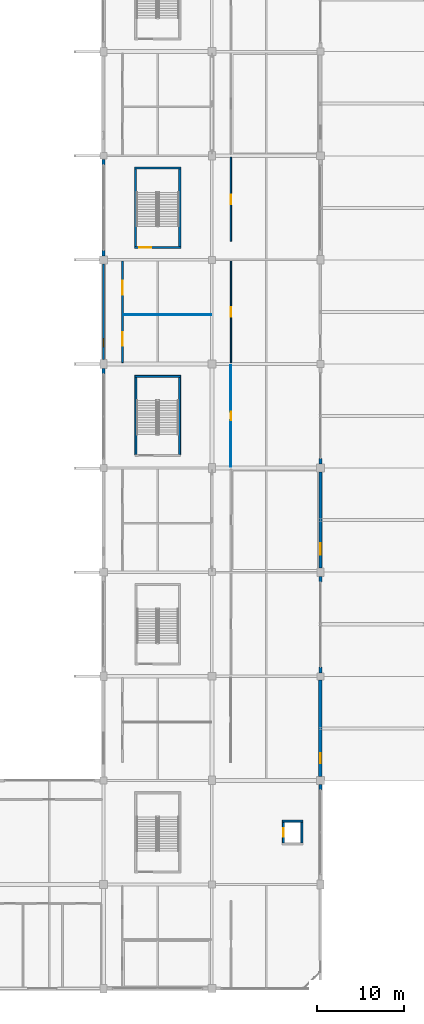
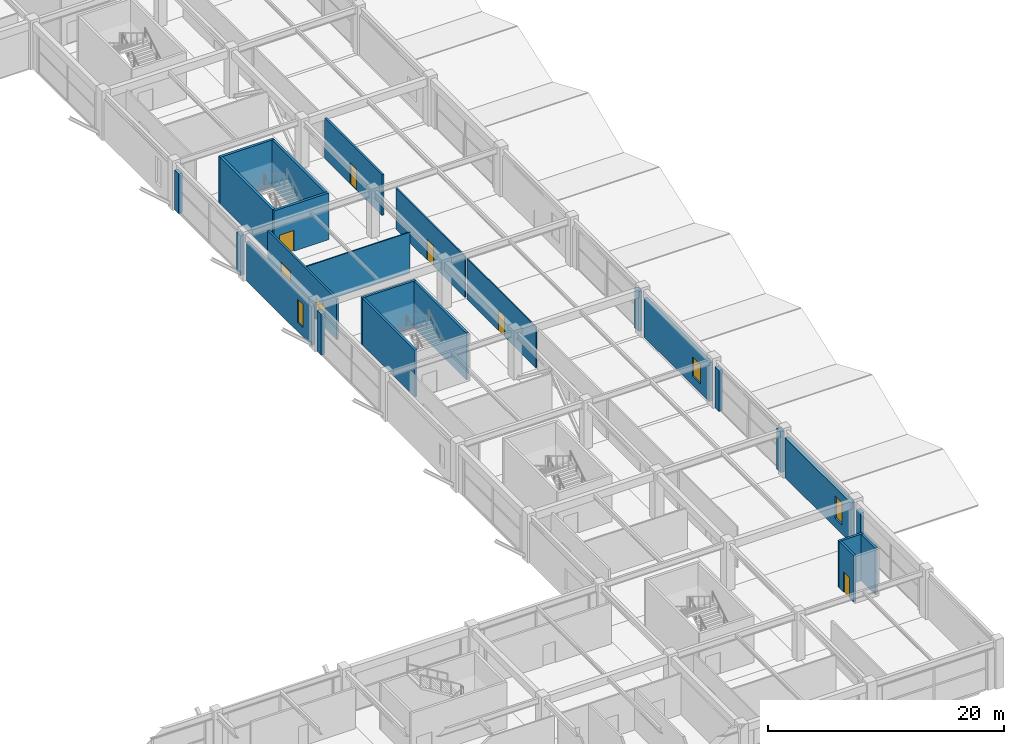
# One storey, part 76 of 116: 25 walls, 7 doors, 3 windows, 10 openings.
"""IFC4 building model written with IfcOpenShell, lengths in metres."""

from ifc_helpers import new_model, si_unit, direction, frame, frame_2d, origin, place, context, subcontext, project, spatial, rectangle, extrude, material, layer, layer_set, type_object, element, fill, save


model = new_model("IFC4")

# Units and contexts
model_context = context("Model", 3, precision=1e-05, world=origin(), true_north=direction((0.0, 1.0)))
body_context = subcontext(model_context, "Body", "Model", "MODEL_VIEW")
ifc_project = project(units=[si_unit("LENGTHUNIT", "METRE"), si_unit("AREAUNIT", "SQUARE_METRE"), si_unit("VOLUMEUNIT", "CUBIC_METRE"), si_unit("PLANEANGLEUNIT", "RADIAN"), si_unit("MASSUNIT", "GRAM", prefix="KILO")], contexts=[model_context])

# Site, building, storey
site_placement = place(None, origin())
site = spatial("IfcSite", under=ifc_project, at=site_placement, CompositionType="ELEMENT")
building_placement = place(site_placement, origin())
building = spatial("IfcBuilding", under=site, at=building_placement, Name="Kazenohara Klinker Stadium", CompositionType="ELEMENT")
storey_placement = place(building_placement, frame((0.0, 0.0, 10.199951171875)))
storey = spatial("IfcBuildingStorey", under=building, at=storey_placement, Name="L02", CompositionType="ELEMENT", Elevation=10.199951171875)

# Walls
ifc_material_1 = material(Name="Concrete C40/50", Category="concrete")
ifc_layer_1 = layer(ifc_material_1, 0.22998046875)
ifc_layer_set_1 = layer_set([ifc_layer_1], Name="Concrete C40/50")
wall_type_1 = type_object("IfcWallType", Name="WAL-CORE-230", PredefinedType="SHEAR", material=ifc_layer_set_1)
wall_1_placement = place(storey_placement, frame((178.6201171875, 82.56494140625, 0.0), z_axis=(0.0, 0.0, 1.0), x_axis=(1.0, 0.0, 0.0)))
element("IfcWall", 1, at=wall_1_placement, inside=storey, type_object=wall_type_1, Name="Stairwell shear wall ST22 L02 North", PredefinedType="SHEAR", context=body_context, shape_type="SweptSolid", body=[
    extrude(rectangle(XDim=5.259765625, YDim=0.22998046875, at=frame_2d((2.6298828125, 0.0))), origin(), (0.0, 0.0, 1.0), 4.820068359375),
])
for number, where, z_axis, x_axis, name in (
    (2, (178.735107421875, 73.550048828125, 0.0), (0.0, 0.0, 1.0), (0.0, 1.0, 0.0), "Stairwell shear wall ST22 L02 West"),
    (3, (183.764892578125, 73.550048828125, 0.0), (0.0, 0.0, 1.0), (0.0, 1.0, 0.0), "Stairwell shear wall ST22 L02 East"),
):
    element("IfcWall", number, at=place(storey_placement, frame(where, z_axis=z_axis, x_axis=x_axis)), inside=storey, type_object=wall_type_1, Name=name, PredefinedType="SHEAR", context=body_context, shape_type="SweptSolid", body=[
        extrude(rectangle(XDim=8.89990234375, YDim=0.22998046875, at=frame_2d((4.449951171875, 0.0))), origin(), (0.0, 0.0, 1.0), 4.820068359375),
    ])
wall_2_placement = place(storey_placement, frame((195.6201171875, 31.31494140625, 0.0), z_axis=(0.0, 0.0, 1.0), x_axis=(1.0, 0.0, 0.0)))
element("IfcWall", 4, at=wall_2_placement, inside=storey, type_object=wall_type_1, Name="Elevator shaft wall LP06 L02 North", PredefinedType="SHEAR", context=body_context, shape_type="SweptSolid", body=[
    extrude(rectangle(XDim=2.35986328125, YDim=0.22998046875, at=frame_2d((1.179931640625, 0.0))), origin(), (0.0, 0.0, 1.0), 4.820068359375),
])

# Wall, opening, door
wall_3_placement = place(storey_placement, frame((195.735107421875, 28.800048828125, 0.0), z_axis=(0.0, 0.0, 1.0), x_axis=(0.0, 1.0, 0.0)))
wall_3 = element("IfcWall", 5, at=wall_3_placement, inside=storey, type_object=wall_type_1, Name="Elevator shaft wall LP06 L02 West", PredefinedType="SHEAR", context=body_context, shape_type="SweptSolid", body=[
    extrude(rectangle(XDim=2.39990234375, YDim=0.22998046875, at=frame_2d((1.199951171875, 0.0))), origin(), (0.0, 0.0, 1.0), 4.820068359375),
])
opening_1_placement = place(wall_3_placement, frame((0.699951171875, 0.0, 0.0)))
opening_1 = element("IfcOpeningElement", 6, at=opening_1_placement, cuts=wall_3, Name="Opening LD02", PredefinedType="OPENING", context=body_context, shape_type="SweptSolid", body=[
    extrude(rectangle(XDim=1.0, YDim=2.14990234375, at=frame_2d((0.5, 1.074951171875))), frame((0.0, 0.125, 0.0), z_axis=(0.0, -1.0, 0.0), x_axis=(1.0, 0.0, 0.0)), (0.0, 0.0, 1.0), 0.25),
])
ifc_material_2 = material(Name="Stainless steel sliding landing door", Category="steel")
door_type_1 = type_object("IfcDoorType", Name="DR-LD02-1000x2150", OperationType="NOTDEFINED", PredefinedType="DOOR", material=ifc_material_2)
door_1_placement = place(opening_1_placement, origin())
door_1 = element("IfcDoor", 7, at=door_1_placement, inside=storey, type_object=door_type_1, Name="Elevator sliding landing door LP06-L02", OperationType="DOUBLE_DOOR_SLIDING", OverallHeight=2.14990234375, OverallWidth=1.0, PredefinedType="DOOR", context=body_context, shape_type="SweptSolid", body=[
    extrude(rectangle(XDim=1.0, YDim=2.14990234375, at=frame_2d((0.5, 1.074951171875))), frame((0.0, 0.02490234375, 0.0), z_axis=(0.0, -1.0, 0.0), x_axis=(1.0, 0.0, 0.0)), (0.0, 0.0, 1.0), 0.050048828125),
])
fill(opening_1, door_1)

# Wall
wall_4_placement = place(storey_placement, frame((197.864990234375, 28.800048828125, 0.0), z_axis=(0.0, 0.0, 1.0), x_axis=(0.0, 1.0, 0.0)))
element("IfcWall", 8, at=wall_4_placement, inside=storey, type_object=wall_type_1, Name="Elevator shaft wall LP06 L02 East", PredefinedType="SHEAR", context=body_context, shape_type="SweptSolid", body=[
    extrude(rectangle(XDim=2.39990234375, YDim=0.22998046875, at=frame_2d((1.199951171875, 0.0))), origin(), (0.0, 0.0, 1.0), 4.820068359375),
])

# Wall, opening, door
ifc_layer_2 = layer(ifc_material_1, 0.25)
ifc_layer_set_2 = layer_set([ifc_layer_2], Name="Concrete C40/50")
wall_type_2 = type_object("IfcWallType", Name="WAL-CORE-250", PredefinedType="SHEAR", material=ifc_layer_set_2)
wall_5_placement = place(storey_placement, frame((178.580078125, 97.425048828125, 0.0), z_axis=(0.0, 0.0, 1.0), x_axis=(1.0, 0.0, 0.0)))
wall_5 = element("IfcWall", 9, at=wall_5_placement, inside=storey, type_object=wall_type_2, Name="Stairwell shear wall ST23 L02 South", PredefinedType="SHEAR", context=body_context, shape_type="SweptSolid", body=[
    extrude(rectangle(XDim=5.33984375, YDim=0.25, at=frame_2d((2.669921875, 0.0))), origin(), (0.0, 0.0, 1.0), 4.820068359375),
])
opening_2_placement = place(wall_5_placement, frame((0.550048828125, 0.0, 0.0)))
opening_2 = element("IfcOpeningElement", 10, at=opening_2_placement, cuts=wall_5, Name="Opening SD01", PredefinedType="OPENING", context=body_context, shape_type="SweptSolid", body=[
    extrude(rectangle(XDim=1.39990234375, YDim=2.14990234375, at=frame_2d((0.699951171875, 1.074951171875))), frame((0.0, 0.135009765625, 0.0), z_axis=(0.0, -1.0, 0.0), x_axis=(1.0, 0.0, 0.0)), (0.0, 0.0, 1.0), 0.27001953125),
])
ifc_material_3 = material(Name="Flush painted steel fire door leaf", Category="steel")
door_type_2 = type_object("IfcDoorType", Name="DR-STR-1400x2150", OperationType="NOTDEFINED", PredefinedType="DOOR", material=ifc_material_3)
door_2_placement = place(opening_2_placement, origin())
door_2 = element("IfcDoor", 11, at=door_2_placement, inside=storey, type_object=door_type_2, Name="Escape stairwell fire door ST23-L02", OperationType="SINGLE_SWING_LEFT", OverallHeight=2.14990234375, OverallWidth=1.39990234375, PredefinedType="DOOR", context=body_context, shape_type="SweptSolid", body=[
    extrude(rectangle(XDim=1.39990234375, YDim=2.14990234375, at=frame_2d((0.699951171875, 1.074951171875))), frame((0.0, 0.02490234375, 0.0), z_axis=(0.0, -1.0, 0.0), x_axis=(1.0, 0.0, 0.0)), (0.0, 0.0, 1.0), 0.050048828125),
])
fill(opening_2, door_2)

# Walls
wall_6_placement = place(storey_placement, frame((178.580078125, 106.574951171875, 0.0), z_axis=(0.0, 0.0, 1.0), x_axis=(1.0, 0.0, 0.0)))
element("IfcWall", 12, at=wall_6_placement, inside=storey, type_object=wall_type_2, Name="Stairwell shear wall ST23 L02 North", PredefinedType="SHEAR", context=body_context, shape_type="SweptSolid", body=[
    extrude(rectangle(XDim=5.33984375, YDim=0.25, at=frame_2d((2.669921875, 0.0))), origin(), (0.0, 0.0, 1.0), 4.820068359375),
])
for number, where, z_axis, x_axis, name in (
    (13, (178.705078125, 97.550048828125, 0.0), (0.0, 0.0, 1.0), (0.0, 1.0, 0.0), "Stairwell shear wall ST23 L02 West"),
    (14, (183.794921875, 97.550048828125, 0.0), (0.0, 0.0, 1.0), (0.0, 1.0, 0.0), "Stairwell shear wall ST23 L02 East"),
):
    element("IfcWall", number, at=place(storey_placement, frame(where, z_axis=z_axis, x_axis=x_axis)), inside=storey, type_object=wall_type_2, Name=name, PredefinedType="SHEAR", context=body_context, shape_type="SweptSolid", body=[
        extrude(rectangle(XDim=8.89990234375, YDim=0.25, at=frame_2d((4.449951171875, 0.0))), origin(), (0.0, 0.0, 1.0), 4.820068359375),
    ])

# Wall, opening, window
ifc_material_4 = material(Name="Clinker brick masonry", Category="masonry")
ifc_layer_3 = layer(ifc_material_4, 0.280029296875)
ifc_layer_set_3 = layer_set([ifc_layer_3], Name="Clinker brick masonry")
wall_type_3 = type_object("IfcWallType", Name="WAL-EXT-CB280", PredefinedType="SOLIDWALL", material=ifc_layer_set_3)
wall_7_placement = place(storey_placement, frame((175.0, 84.50390625, 0.0), z_axis=(0.0, 0.0, 1.0), x_axis=(0.0, 1.0, 0.0)))
wall_7 = element("IfcWall", 15, at=wall_7_placement, inside=storey, type_object=wall_type_3, Name="Clinker brick cavity wall EW06 L02 Y14-7", PredefinedType="SOLIDWALL", context=body_context, shape_type="SweptSolid", body=[
    extrude(rectangle(XDim=11.0419921875, YDim=0.280029296875, at=frame_2d((5.52099609375, 0.0))), origin(), (0.0, 0.0, 1.0), 4.02001953125),
])
opening_3_placement = place(wall_7_placement, frame((1.5, 0.0, 0.949951171875)))
opening_3 = element("IfcOpeningElement", 16, at=opening_3_placement, cuts=wall_7, Name="Opening W02", PredefinedType="OPENING", context=body_context, shape_type="SweptSolid", body=[
    extrude(rectangle(XDim=0.89990234375, YDim=2.39990234375, at=frame_2d((0.449951171875, 1.199951171875))), frame((0.0, 0.14990234375, 0.0), z_axis=(0.0, -1.0, 0.0), x_axis=(1.0, 0.0, 0.0)), (0.0, 0.0, 1.0), 0.300048828125),
])
ifc_material_5 = material(Name="Dark bronze aluminium frame and triple glazing", Category="aluminium")
window_type_1 = type_object("IfcWindowType", Name="WIN-AS-02", PartitioningType="SINGLE_PANEL", PredefinedType="WINDOW", material=ifc_material_5)
window_1_placement = place(opening_3_placement, origin())
window_1 = element("IfcWindow", 17, at=window_1_placement, inside=storey, type_object=window_type_1, Name="Horizontal-mullion ladder window W02 L02 Y14-7", OverallHeight=2.39990234375, OverallWidth=0.89990234375, PartitioningType="SINGLE_PANEL", PredefinedType="WINDOW", context=body_context, shape_type="SweptSolid", body=[
    extrude(rectangle(XDim=0.89990234375, YDim=2.39990234375, at=frame_2d((0.449951171875, 1.199951171875))), frame((0.0, 0.030029296875, 0.0), z_axis=(0.0, -1.0, 0.0), x_axis=(1.0, 0.0, 0.0)), (0.0, 0.0, 1.0), 0.06005859375),
])
fill(opening_3, window_1)

ifc_layer_4 = layer(ifc_material_4, 0.340087890625)
ifc_layer_set_4 = layer_set([ifc_layer_4], Name="Clinker brick masonry")
wall_type_4 = type_object("IfcWallType", Name="WAL-EXT-CB340", PredefinedType="SOLIDWALL", material=ifc_layer_set_4)
wall_8_placement = place(storey_placement, frame((200.0, 60.50390625, 0.0), z_axis=(0.0, 0.0, 1.0), x_axis=(0.0, 1.0, 0.0)))
wall_8 = element("IfcWall", 18, at=wall_8_placement, inside=storey, type_object=wall_type_4, Name="Clinker brick cavity wall EW04 L02 Y16-5", PredefinedType="SOLIDWALL", context=body_context, shape_type="SweptSolid", body=[
    extrude(rectangle(XDim=11.0419921875, YDim=0.340087890625, at=frame_2d((5.52099609375, 0.0))), origin(), (0.0, 0.0, 1.0), 4.02001953125),
])
opening_4_placement = place(wall_8_placement, frame((1.5, 0.0, 0.949951171875)))
opening_4 = element("IfcOpeningElement", 19, at=opening_4_placement, cuts=wall_8, Name="Opening W07", PredefinedType="OPENING", context=body_context, shape_type="SweptSolid", body=[
    extrude(rectangle(XDim=1.35009765625, YDim=2.0, at=frame_2d((0.675048828125, 1.0))), frame((0.0, 0.18017578125, 0.0), z_axis=(0.0, -1.0, 0.0), x_axis=(1.0, 0.0, 0.0)), (0.0, 0.0, 1.0), 0.360107421875),
])
window_type_2 = type_object("IfcWindowType", Name="WIN-AS-07", PartitioningType="SINGLE_PANEL", PredefinedType="WINDOW", material=ifc_material_5)
window_2_placement = place(opening_4_placement, origin())
window_2 = element("IfcWindow", 20, at=window_2_placement, inside=storey, type_object=window_type_2, Name="Horizontal-mullion ladder window W07 L02 Y16-5", OverallHeight=2.0, OverallWidth=1.35009765625, PartitioningType="SINGLE_PANEL", PredefinedType="WINDOW", context=body_context, shape_type="SweptSolid", body=[
    extrude(rectangle(XDim=1.35009765625, YDim=2.0, at=frame_2d((0.675048828125, 1.0))), frame((0.0, 0.030029296875, 0.0), z_axis=(0.0, -1.0, 0.0), x_axis=(1.0, 0.0, 0.0)), (0.0, 0.0, 1.0), 0.06005859375),
])
fill(opening_4, window_2)

# Walls
ifc_layer_5 = layer(ifc_material_4, 0.3701171875)
ifc_layer_set_5 = layer_set([ifc_layer_5], Name="Clinker brick masonry")
wall_type_5 = type_object("IfcWallType", Name="WAL-EXT-CB370", PredefinedType="SOLIDWALL", material=ifc_layer_set_5)
wall_9_placement = place(storey_placement, frame((175.0, 82.845947265625, 0.0), z_axis=(0.0, 0.0, 1.0), x_axis=(0.0, 1.0, 0.0)))
element("IfcWall", 21, at=wall_9_placement, inside=storey, type_object=wall_type_5, Name="Clinker brick curtain-wall jamb pier L02 Y14-6 B", PredefinedType="SOLIDWALL", context=body_context, shape_type="SweptSolid", body=[
    extrude(rectangle(XDim=0.650146484375, YDim=0.3701171875, at=frame_2d((0.3251953125, 0.0))), origin(), (0.0, 0.0, 1.0), 4.23193359375),
])
for number, where, z_axis, x_axis, name in (
    (22, (175.0, 96.4541015625, 0.0), (0.0, 0.0, 1.0), (0.0, 1.0, 0.0), "Clinker brick curtain-wall jamb pier L02 Y14-8 A"),
    (23, (175.0, 106.946044921875, 0.0), (0.0, 0.0, 1.0), (0.0, 1.0, 0.0), "Clinker brick curtain-wall jamb pier L02 Y14-8 B"),
):
    element("IfcWall", number, at=place(storey_placement, frame(where, z_axis=z_axis, x_axis=x_axis)), inside=storey, type_object=wall_type_5, Name=name, PredefinedType="SOLIDWALL", context=body_context, shape_type="SweptSolid", body=[
        extrude(rectangle(XDim=0.64990234375, YDim=0.3701171875, at=frame_2d((0.324951171875, 0.0))), origin(), (0.0, 0.0, 1.0), 4.1201171875),
    ])
wall_10_placement = place(storey_placement, frame((200.0, 34.89599609375, 0.0), z_axis=(0.0, 0.0, 1.0), x_axis=(0.0, 1.0, 0.0)))
element("IfcWall", 24, at=wall_10_placement, inside=storey, type_object=wall_type_5, Name="Clinker brick curtain-wall jamb pier L02 Y16-2 B", PredefinedType="SOLIDWALL", context=body_context, shape_type="SweptSolid", body=[
    extrude(rectangle(XDim=0.64990234375, YDim=0.3701171875, at=frame_2d((0.324951171875, 0.0))), origin(), (0.0, 0.0, 1.0), 4.02001953125),
])
wall_11_placement = place(storey_placement, frame((200.0, 48.404052734375, 0.0), z_axis=(0.0, 0.0, 1.0), x_axis=(0.0, 1.0, 0.0)))
element("IfcWall", 25, at=wall_11_placement, inside=storey, type_object=wall_type_5, Name="Clinker brick curtain-wall jamb pier L02 Y16-4 A", PredefinedType="SOLIDWALL", context=body_context, shape_type="SweptSolid", body=[
    extrude(rectangle(XDim=0.64990234375, YDim=0.3701171875, at=frame_2d((0.324951171875, 0.0))), origin(), (0.0, 0.0, 1.0), 4.23193359375),
])
wall_12_placement = place(storey_placement, frame((200.0, 58.845947265625, 0.0), z_axis=(0.0, 0.0, 1.0), x_axis=(0.0, 1.0, 0.0)))
element("IfcWall", 26, at=wall_12_placement, inside=storey, type_object=wall_type_5, Name="Clinker brick curtain-wall jamb pier L02 Y16-4 B", PredefinedType="SOLIDWALL", context=body_context, shape_type="SweptSolid", body=[
    extrude(rectangle(XDim=0.650146484375, YDim=0.3701171875, at=frame_2d((0.3251953125, 0.0))), origin(), (0.0, 0.0, 1.0), 4.23193359375),
])
wall_13_placement = place(storey_placement, frame((200.0, 72.4541015625, 0.0), z_axis=(0.0, 0.0, 1.0), x_axis=(0.0, 1.0, 0.0)))
element("IfcWall", 27, at=wall_13_placement, inside=storey, type_object=wall_type_5, Name="Clinker brick curtain-wall jamb pier L02 Y16-6 A", PredefinedType="SOLIDWALL", context=body_context, shape_type="SweptSolid", body=[
    extrude(rectangle(XDim=0.64990234375, YDim=0.3701171875, at=frame_2d((0.324951171875, 0.0))), origin(), (0.0, 0.0, 1.0), 4.1201171875),
])

# Wall, opening, window
ifc_layer_6 = layer(ifc_material_4, 0.409912109375)
ifc_layer_set_6 = layer_set([ifc_layer_6], Name="Clinker brick masonry")
wall_type_6 = type_object("IfcWallType", Name="WAL-EXT-CB410", PredefinedType="SOLIDWALL", material=ifc_layer_set_6)
wall_14_placement = place(storey_placement, frame((200.0, 36.4541015625, 0.0), z_axis=(0.0, 0.0, 1.0), x_axis=(0.0, 1.0, 0.0)))
wall_14 = element("IfcWall", 28, at=wall_14_placement, inside=storey, type_object=wall_type_6, Name="Clinker brick cavity wall EW02 L02 Y16-3", PredefinedType="SOLIDWALL", context=body_context, shape_type="SweptSolid", body=[
    extrude(rectangle(XDim=11.141845703125, YDim=0.409912109375, at=frame_2d((5.57080078125, 0.0))), origin(), (0.0, 0.0, 1.0), 4.1201171875),
])
opening_5_placement = place(wall_14_placement, frame((1.5, 0.0, 0.949951171875)))
opening_5 = element("IfcOpeningElement", 29, at=opening_5_placement, cuts=wall_14, Name="Opening W06", PredefinedType="OPENING", context=body_context, shape_type="SweptSolid", body=[
    extrude(rectangle(XDim=1.199951171875, YDim=2.300048828125, at=frame_2d((0.60009765625, 1.14990234375))), frame((0.0, 0.21484375, 0.0), z_axis=(0.0, -1.0, 0.0), x_axis=(1.0, 0.0, 0.0)), (0.0, 0.0, 1.0), 0.429931640625),
])
window_type_3 = type_object("IfcWindowType", Name="WIN-AS-06", PartitioningType="SINGLE_PANEL", PredefinedType="WINDOW", material=ifc_material_5)
window_3_placement = place(opening_5_placement, origin())
window_3 = element("IfcWindow", 30, at=window_3_placement, inside=storey, type_object=window_type_3, Name="Horizontal-mullion ladder window W06 L02 Y16-3", OverallHeight=2.300048828125, OverallWidth=1.199951171875, PartitioningType="SINGLE_PANEL", PredefinedType="WINDOW", context=body_context, shape_type="SweptSolid", body=[
    extrude(rectangle(XDim=1.199951171875, YDim=2.300048828125, at=frame_2d((0.60009765625, 1.14990234375))), frame((0.0, 0.030029296875, 0.0), z_axis=(0.0, -1.0, 0.0), x_axis=(1.0, 0.0, 0.0)), (0.0, 0.0, 1.0), 0.06005859375),
])
fill(opening_5, window_3)

# Wall
ifc_material_6 = material(Name="Fire-rated gypsum board on acoustic studs", Category="gypsum")
ifc_layer_7 = layer(ifc_material_6, 0.110107421875)
ifc_layer_set_7 = layer_set([ifc_layer_7], Name="Fire-rated gypsum board on acoustic studs")
wall_type_7 = type_object("IfcWallType", Name="WAL-INT-P110", PredefinedType="PARTITIONING", material=ifc_layer_set_7)
wall_15_placement = place(storey_placement, frame((177.2900390625, 89.649658203125, 0.0), z_axis=(0.0, 0.0, 1.0), x_axis=(1.0, 0.0, 0.0)))
element("IfcWall", 31, at=wall_15_placement, inside=storey, type_object=wall_type_7, Name="Interior partition wall PT01 SPC-L02-14-07-1-2", PredefinedType="PARTITIONING", context=body_context, shape_type="SweptSolid", body=[
    extrude(rectangle(XDim=10.1298828125, YDim=0.110107421875, at=frame_2d((5.06494140625, 0.0))), origin(), (0.0, 0.0, 1.0), 4.219970703125),
])

# Wall, opening, door
wall_16_placement = place(storey_placement, frame((189.68994140625, 72.159912109375, 0.0), z_axis=(0.0, 0.0, 1.0), x_axis=(0.0, 1.0, 0.0)))
wall_16 = element("IfcWall", 32, at=wall_16_placement, inside=storey, type_object=wall_type_7, Name="Interior partition wall PT01 SPC-L02-15-06-1-1", PredefinedType="PARTITIONING", context=body_context, shape_type="SweptSolid", body=[
    extrude(rectangle(XDim=11.68017578125, YDim=0.110107421875, at=frame_2d((5.840087890625, 0.0))), origin(), (0.0, 0.0, 1.0), 4.219970703125),
])
opening_6_placement = place(wall_16_placement, frame((6.35498046875, 0.0, 0.0), z_axis=(0.0, 0.0, 1.0), x_axis=(-1.0, 0.0, 0.0)))
opening_6 = element("IfcOpeningElement", 33, at=opening_6_placement, cuts=wall_16, Name="Opening ID06", PredefinedType="OPENING", context=body_context, shape_type="SweptSolid", body=[
    extrude(rectangle(XDim=1.030029296875, YDim=2.1201171875, at=frame_2d((0.51513671875, 1.06005859375))), frame((0.0, 0.06494140625, 0.0), z_axis=(0.0, -1.0, 0.0), x_axis=(1.0, 0.0, 0.0)), (0.0, 0.0, 1.0), 0.130126953125),
])
ifc_material_7 = material(Name="Solid-core Hokkaido oak fire door", Category="wood")
door_type_3 = type_object("IfcDoorType", Name="DR-INT-06", OperationType="NOTDEFINED", PredefinedType="DOOR", material=ifc_material_7)
door_3_placement = place(opening_6_placement, origin())
door_3 = element("IfcDoor", 34, at=door_3_placement, inside=storey, type_object=door_type_3, Name="Interior door ID06 Sapporo Autumn Banquet Hall L02-1506A", OperationType="SINGLE_SWING_LEFT", OverallHeight=2.1201171875, OverallWidth=1.030029296875, PredefinedType="DOOR", context=body_context, shape_type="SweptSolid", body=[
    extrude(rectangle(XDim=1.030029296875, YDim=2.1201171875, at=frame_2d((0.51513671875, 1.06005859375))), frame((0.0, 0.02490234375, 0.0), z_axis=(0.0, -1.0, 0.0), x_axis=(1.0, 0.0, 0.0)), (0.0, 0.0, 1.0), 0.050048828125),
])
fill(opening_6, door_3)

ifc_layer_8 = layer(ifc_material_6, 0.139892578125)
ifc_layer_set_8 = layer_set([ifc_layer_8], Name="Fire-rated gypsum board on acoustic studs")
wall_type_8 = type_object("IfcWallType", Name="WAL-INT-P140", PredefinedType="PARTITIONING", material=ifc_layer_set_8)
wall_17_placement = place(storey_placement, frame((189.68994140625, 84.159912109375, 0.0), z_axis=(0.0, 0.0, 1.0), x_axis=(0.0, 1.0, 0.0)))
wall_17 = element("IfcWall", 35, at=wall_17_placement, inside=storey, type_object=wall_type_8, Name="Interior partition wall PT03 SPC-L02-15-07-1-1", PredefinedType="PARTITIONING", context=body_context, shape_type="SweptSolid", body=[
    extrude(rectangle(XDim=11.68017578125, YDim=0.139892578125, at=frame_2d((5.840087890625, 0.0))), origin(), (0.0, 0.0, 1.0), 4.219970703125),
])
opening_7_placement = place(wall_17_placement, frame((6.3701171875, 0.0, 0.0), z_axis=(0.0, 0.0, 1.0), x_axis=(-1.0, 0.0, 0.0)))
opening_7 = element("IfcOpeningElement", 36, at=opening_7_placement, cuts=wall_17, Name="Opening ID07", PredefinedType="OPENING", context=body_context, shape_type="SweptSolid", body=[
    extrude(rectangle(XDim=1.06005859375, YDim=2.14990234375, at=frame_2d((0.530029296875, 1.074951171875))), frame((0.0, 0.080078125, 0.0), z_axis=(0.0, -1.0, 0.0), x_axis=(1.0, 0.0, 0.0)), (0.0, 0.0, 1.0), 0.159912109375),
])
door_type_4 = type_object("IfcDoorType", Name="DR-INT-07", OperationType="NOTDEFINED", PredefinedType="DOOR", material=ifc_material_7)
door_4_placement = place(opening_7_placement, origin())
door_4 = element("IfcDoor", 37, at=door_4_placement, inside=storey, type_object=door_type_4, Name="Interior door ID07 Civic Sports Archive Reading Room L02-1507A", OperationType="SINGLE_SWING_RIGHT", OverallHeight=2.14990234375, OverallWidth=1.06005859375, PredefinedType="DOOR", context=body_context, shape_type="SweptSolid", body=[
    extrude(rectangle(XDim=1.06005859375, YDim=2.14990234375, at=frame_2d((0.530029296875, 1.074951171875))), frame((0.0, 0.02490234375, 0.0), z_axis=(0.0, -1.0, 0.0), x_axis=(1.0, 0.0, 0.0)), (0.0, 0.0, 1.0), 0.050048828125),
])
fill(opening_7, door_4)

# Wall, openings, doors
ifc_layer_9 = layer(ifc_material_6, 0.18994140625)
ifc_layer_set_9 = layer_set([ifc_layer_9], Name="Fire-rated gypsum board on acoustic studs")
wall_type_9 = type_object("IfcWallType", Name="WAL-INT-P190", PredefinedType="PARTITIONING", material=ifc_layer_set_9)
wall_18_placement = place(storey_placement, frame((177.18994140625, 84.159912109375, 0.0), z_axis=(0.0, 0.0, 1.0), x_axis=(0.0, 1.0, 0.0)))
wall_18 = element("IfcWall", 38, at=wall_18_placement, inside=storey, type_object=wall_type_9, Name="Interior partition wall PT06 SPC-L02-14-07-1-1", PredefinedType="PARTITIONING", context=body_context, shape_type="SweptSolid", body=[
    extrude(rectangle(XDim=11.68017578125, YDim=0.18994140625, at=frame_2d((5.840087890625, 0.0))), origin(), (0.0, 0.0, 1.0), 4.219970703125),
])
opening_8_placement = place(wall_18_placement, frame((3.48486328125, 0.0, 0.0), z_axis=(0.0, 0.0, 1.0), x_axis=(-1.0, 0.0, 0.0)))
opening_8 = element("IfcOpeningElement", 39, at=opening_8_placement, cuts=wall_18, Name="Opening ID22", PredefinedType="OPENING", context=body_context, shape_type="SweptSolid", body=[
    extrude(rectangle(XDim=1.56005859375, YDim=2.260009765625, at=frame_2d((0.780029296875, 1.1298828125))), frame((0.0, 0.10498046875, 0.0), z_axis=(0.0, -1.0, 0.0), x_axis=(1.0, 0.0, 0.0)), (0.0, 0.0, 1.0), 0.2099609375),
])
opening_9_placement = place(wall_18_placement, frame((9.4248046875, 0.0, 0.0), z_axis=(0.0, 0.0, 1.0), x_axis=(-1.0, 0.0, 0.0)))
opening_9 = element("IfcOpeningElement", 40, at=opening_9_placement, cuts=wall_18, Name="Opening ID23", PredefinedType="OPENING", context=body_context, shape_type="SweptSolid", body=[
    extrude(rectangle(XDim=1.60009765625, YDim=2.300048828125, at=frame_2d((0.800048828125, 1.14990234375))), frame((0.0, 0.10498046875, 0.0), z_axis=(0.0, -1.0, 0.0), x_axis=(1.0, 0.0, 0.0)), (0.0, 0.0, 1.0), 0.2099609375),
])
ifc_material_8 = material(Name="Painted steel plant fire door", Category="steel")
door_type_5 = type_object("IfcDoorType", Name="DR-INT-22", OperationType="NOTDEFINED", PredefinedType="DOOR", material=ifc_material_8)
door_5_placement = place(opening_8_placement, origin())
door_5 = element("IfcDoor", 41, at=door_5_placement, inside=storey, type_object=door_type_5, Name="Interior door ID22 Sapporo Autumn Banquet Hall L02-1407A", OperationType="SINGLE_SWING_LEFT", OverallHeight=2.260009765625, OverallWidth=1.56005859375, PredefinedType="DOOR", context=body_context, shape_type="SweptSolid", body=[
    extrude(rectangle(XDim=1.56005859375, YDim=2.260009765625, at=frame_2d((0.780029296875, 1.1298828125))), frame((0.0, 0.02490234375, 0.0), z_axis=(0.0, -1.0, 0.0), x_axis=(1.0, 0.0, 0.0)), (0.0, 0.0, 1.0), 0.050048828125),
])
fill(opening_8, door_5)
door_type_6 = type_object("IfcDoorType", Name="DR-INT-23", OperationType="NOTDEFINED", PredefinedType="DOOR", material=ifc_material_8)
door_6_placement = place(opening_9_placement, origin())
door_6 = element("IfcDoor", 42, at=door_6_placement, inside=storey, type_object=door_type_6, Name="Interior door ID23 Hospitality Culinary Catering Kitchen L02-1407B", OperationType="SINGLE_SWING_RIGHT", OverallHeight=2.300048828125, OverallWidth=1.60009765625, PredefinedType="DOOR", context=body_context, shape_type="SweptSolid", body=[
    extrude(rectangle(XDim=1.60009765625, YDim=2.300048828125, at=frame_2d((0.800048828125, 1.14990234375))), frame((0.0, 0.02490234375, 0.0), z_axis=(0.0, -1.0, 0.0), x_axis=(1.0, 0.0, 0.0)), (0.0, 0.0, 1.0), 0.050048828125),
])
fill(opening_9, door_6)

# Wall, opening, door
wall_19_placement = place(storey_placement, frame((189.68994140625, 98.1201171875, 0.0), z_axis=(0.0, 0.0, 1.0), x_axis=(0.0, 1.0, 0.0)))
wall_19 = element("IfcWall", 43, at=wall_19_placement, inside=storey, type_object=wall_type_9, Name="Interior partition wall PT06 SPC-L02-15-08-1-1", PredefinedType="PARTITIONING", context=body_context, shape_type="SweptSolid", body=[
    extrude(rectangle(XDim=9.719970703125, YDim=0.18994140625, at=frame_2d((4.85986328125, 0.0))), origin(), (0.0, 0.0, 1.0), 4.219970703125),
])
opening_10_placement = place(wall_19_placement, frame((5.405029296875, 0.0, 0.0), z_axis=(0.0, 0.0, 1.0), x_axis=(-1.0, 0.0, 0.0)))
opening_10 = element("IfcOpeningElement", 44, at=opening_10_placement, cuts=wall_19, Name="Opening ID08", PredefinedType="OPENING", context=body_context, shape_type="SweptSolid", body=[
    extrude(rectangle(XDim=1.090087890625, YDim=2.159912109375, at=frame_2d((0.544921875, 1.080078125))), frame((0.0, 0.10498046875, 0.0), z_axis=(0.0, -1.0, 0.0), x_axis=(1.0, 0.0, 0.0)), (0.0, 0.0, 1.0), 0.2099609375),
])
door_type_7 = type_object("IfcDoorType", Name="DR-INT-08", OperationType="NOTDEFINED", PredefinedType="DOOR", material=ifc_material_7)
door_7_placement = place(opening_10_placement, origin())
door_7 = element("IfcDoor", 45, at=door_7_placement, inside=storey, type_object=door_type_7, Name="Interior door ID08 Corporate Hospitality Viewing Suite L02-1508A", OperationType="SINGLE_SWING_LEFT", OverallHeight=2.159912109375, OverallWidth=1.090087890625, PredefinedType="DOOR", context=body_context, shape_type="SweptSolid", body=[
    extrude(rectangle(XDim=1.090087890625, YDim=2.159912109375, at=frame_2d((0.544921875, 1.080078125))), frame((0.0, 0.02490234375, 0.0), z_axis=(0.0, -1.0, 0.0), x_axis=(1.0, 0.0, 0.0)), (0.0, 0.0, 1.0), 0.050048828125),
])
fill(opening_10, door_7)

save(model, "model.ifc")
